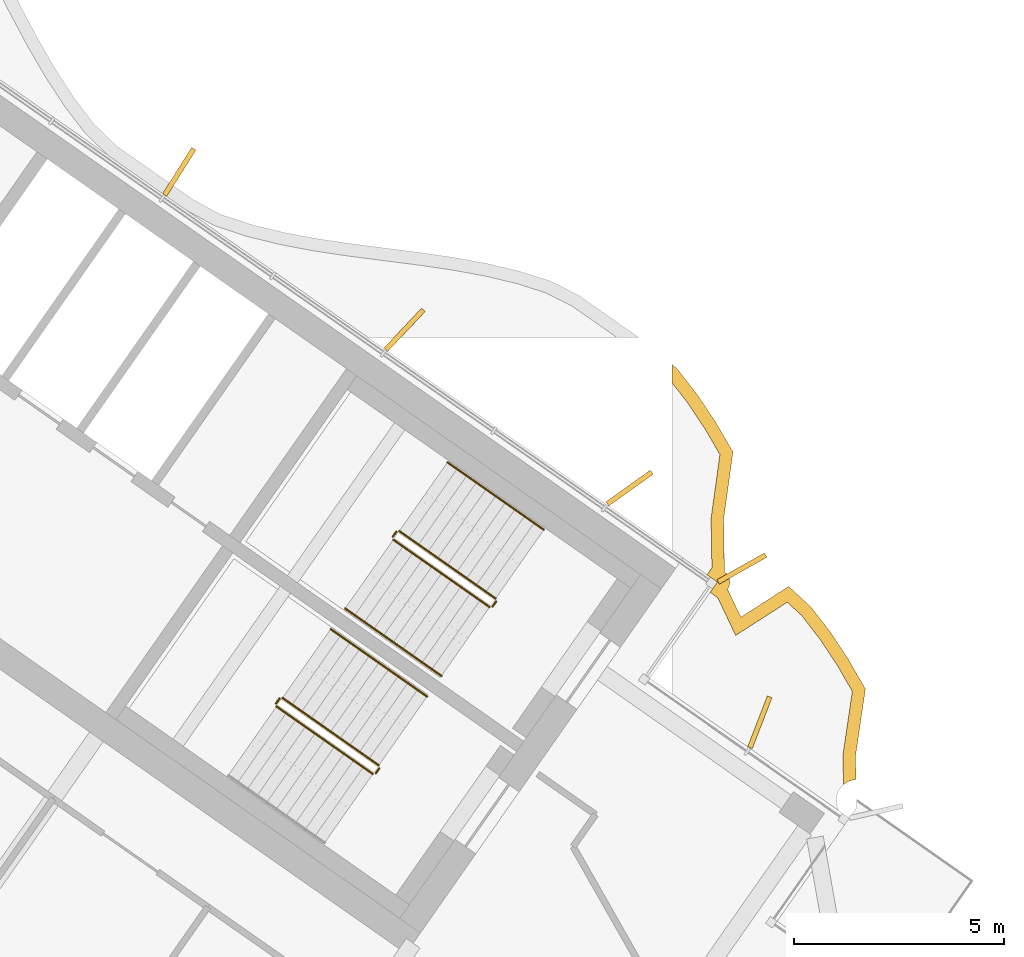
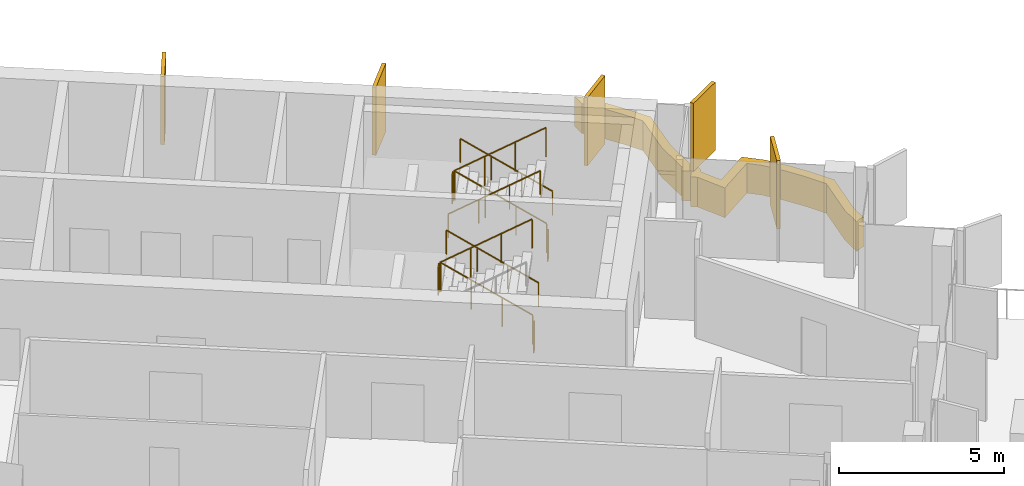
# One storey, part 19 of 21: 11 railings, 6 shading devices.
"""IFC4 building model written with IfcOpenShell, lengths in metres."""

from ifc_helpers import new_model, si_unit, direction, frame, origin, origin_2d, place, context, subcontext, project, spatial, polyline, rectangle, circle, outline, extrude, material, layer, layer_set, type_object, element, save


model = new_model("IFC4")

# Units and contexts
model_context = context("Model", 3, precision=1e-05, world=origin(), true_north=direction((0.0, 1.0)))
body_context = subcontext(model_context, "Body", "Model", "MODEL_VIEW")
ifc_project = project(units=[si_unit("LENGTHUNIT", "METRE"), si_unit("AREAUNIT", "SQUARE_METRE"), si_unit("VOLUMEUNIT", "CUBIC_METRE"), si_unit("PLANEANGLEUNIT", "RADIAN"), si_unit("MASSUNIT", "GRAM", prefix="KILO")], contexts=[model_context])

# Site, building, storey
site_placement = place(None, origin())
site = spatial("IfcSite", under=ifc_project, at=site_placement, CompositionType="ELEMENT")
building_placement = place(site_placement, origin())
building = spatial("IfcBuilding", under=site, at=building_placement, Name="Tel Ilan Convention Tower", CompositionType="ELEMENT")
storey_placement = place(building_placement, frame((0.0, 0.0, 225.39990234375)))
storey = spatial("IfcBuildingStorey", under=building, at=storey_placement, Name="L52", CompositionType="ELEMENT", Elevation=225.39990234375)

# Shading devices
ifc_material_1 = material(Name="Aluminium, bronze anodised", Category="aluminium")
ifc_layer_1 = layer(ifc_material_1, 0.1201171875)
ifc_layer_set_1 = layer_set([ifc_layer_1], Name="FIN BRONZE 1300x120")
shading_device_type_1 = type_object("IfcShadingDeviceType", Name="FIN BRONZE 1300x120", PredefinedType="USERDEFINED", material=ifc_layer_set_1)
for number, where, z_axis, x_axis, name in (
    (1, (29.970458984375, -10.79833984375, 1.10009765625), (0.0, 0.0, 1.0), (0.360177724803, 0.932883704733, 0.0), "FIN"),
    (2, (29.5439453125, -7.13623046875, 1.10009765625), (0.0, 0.0, 1.0), (0.870832754082, 0.491579408049, 0.0), "FIN"),
    (3, (26.8662109375, -5.2216796875, 1.10009765625), (0.0, 0.0, 1.0), (0.813552070258, 0.581492071294, 0.0), "FIN"),
    (4, (21.51171875, -1.449462890625, 1.10009765625), (0.0, 0.0, 1.0), (0.686241637865, 0.727373641577, 0.0), "FIN"),
    (5, (16.143798828125, 2.309814453125, 1.10009765625), (0.0, 0.0, 1.0), (0.533204432798, 0.845986425922, 0.0), "FIN"),
):
    element("IfcShadingDevice", number, at=place(storey_placement, frame(where, z_axis=z_axis, x_axis=x_axis)), inside=storey, type_object=shading_device_type_1, Name=name, ObjectType="FIN", PredefinedType="USERDEFINED", context=body_context, shape_type="SweptSolid", body=[
        extrude(rectangle(XDim=1.300048828125, YDim=0.1201171875, at=origin_2d()), origin(), (0.0, 0.0, 1.0), 2.52001953125),
    ])
ifc_material_2 = material(Name="Aluminium, bronze anodised", Category="aluminium")
ifc_layer_2 = layer(ifc_material_2, 0.300048828125)
ifc_layer_set_2 = layer_set([ifc_layer_2], Name="LOUVRE BAND 300x1100")
shading_device_type_2 = type_object("IfcShadingDeviceType", Name="LOUVRE BAND 300x1100", PredefinedType="USERDEFINED", material=ifc_layer_set_2)
shading_device_placement = place(storey_placement, origin())
element("IfcShadingDevice", 6, at=shading_device_placement, inside=storey, type_object=shading_device_type_2, Name="LOUVRE BAND 41.01", ObjectType="LOUVRE", PredefinedType="USERDEFINED", context=body_context, shape_type="SweptSolid", body=[
    extrude(outline(polyline([(28.0107421875, -2.392822265625), (27.874755859375, -2.269287109375), (27.874755859375, -2.70654296875), (28.240234375, -3.176513671875), (28.66748046875, -3.818359375), (29.02001953125, -4.420654296875), (28.809326171875, -5.941162109375), (28.829345703125, -7.12109375), (28.713134765625, -7.286865234375), (28.958740234375, -7.458984375), (28.787353515625, -7.705322265625), (28.9677734375, -7.83154296875), (29.395751953125, -8.730712890625), (30.62353515625, -7.9404296875), (30.971923828125, -8.26171875), (31.412841796875, -8.83544921875), (31.83154296875, -9.46923828125), (32.173583984375, -10.065185546875), (31.948486328125, -11.589599609375), (31.963623046875, -12.282470703125), (32.0234375, -12.240234375), (32.11083984375, -12.19580078125), (32.205322265625, -12.16943359375), (32.26123046875, -12.162353515625), (32.248779296875, -11.6083984375), (32.485595703125, -10.006103515625), (32.0869140625, -9.3115234375), (31.6572265625, -8.661376953125), (31.194091796875, -8.05859375), (30.656494140625, -7.5625), (29.52001953125, -8.2939453125), (29.199951171875, -7.6279296875), (29.236083984375, -7.57373046875), (29.2587890625, -7.458984375), (29.236083984375, -7.34423828125), (29.1708984375, -7.246826171875), (29.127685546875, -7.218017578125), (29.10986328125, -5.95947265625), (29.331298828125, -4.35888671875), (28.922119140625, -3.659423828125), (28.48388671875, -3.001220703125), (28.0107421875, -2.392822265625)])), origin(), (0.0, 0.0, 1.0), 1.10009765625),
])

# Railings
ifc_material_3 = material(Name="Stainless Steel Grade 316", Category="steel")
railing_type_1 = type_object("IfcRailingType", Name="Stainless Steel Stair Guard 1100 mm", PredefinedType="GUARDRAIL", material=ifc_material_3)
railing_1_placement = place(storey_placement, frame((23.6787109375, -7.8515625, 0.177490234375)))
element("IfcRailing", 7, at=railing_1_placement, inside=storey, type_object=railing_type_1, Name="L52 S3 stair guard 1", PredefinedType="GUARDRAIL", context=body_context, shape_type="SweptSolid", body=[
    extrude(circle(Radius=0.02392578125, at=origin_2d()), frame((0.0, 0.0, 1.076171875), z_axis=(-0.692084706163, 0.484621375041, 0.534940073605), x_axis=(-0.573591086599, -0.819141785879, 0.0)), (0.0, 0.0, 1.0), 3.313720703125),
    extrude(circle(Radius=0.02099609375, at=origin_2d()), origin(), (0.0, 0.0, 1.0), 1.052001953125),
    extrude(circle(Radius=0.02099609375, at=origin_2d()), frame((-0.764404296875, 0.535400390625, 0.5908203125)), (0.0, 0.0, 1.0), 1.052001953125),
    extrude(circle(Radius=0.02099609375, at=origin_2d()), frame((-1.529052734375, 1.070556640625, 1.181884765625)), (0.0, 0.0, 1.0), 1.052001953125),
    extrude(circle(Radius=0.02099609375, at=origin_2d()), frame((-2.29345703125, 1.60595703125, 1.772705078125)), (0.0, 0.0, 1.0), 1.052001953125),
])
railing_2_placement = place(storey_placement, frame((21.3154296875, -6.2578125, 1.9501953125)))
element("IfcRailing", 8, at=railing_2_placement, inside=storey, type_object=railing_type_1, Name="L52 S3 stair guard 2", PredefinedType="GUARDRAIL", context=body_context, shape_type="SweptSolid", body=[
    extrude(circle(Radius=0.02392578125, at=origin_2d()), frame((0.0, 0.0, 1.076171875), z_axis=(-0.573353020881, -0.819308436089, 0.0), x_axis=(0.819308436089, -0.573353020881, 0.0)), (0.0, 0.0, 1.0), 0.14990234375),
    extrude(circle(Radius=0.02099609375, at=origin_2d()), origin(), (0.0, 0.0, 1.0), 1.052001953125),
    extrude(circle(Radius=0.02099609375, at=origin_2d()), frame((-0.0859375, -0.122802734375, 0.0)), (0.0, 0.0, 1.0), 1.052001953125),
])
railing_3_placement = place(storey_placement, frame((21.24169921875, -6.4501953125, 2.12744140625)))
element("IfcRailing", 9, at=railing_3_placement, inside=storey, type_object=railing_type_1, Name="L52 S3 stair guard 3", PredefinedType="GUARDRAIL", context=body_context, shape_type="SweptSolid", body=[
    extrude(circle(Radius=0.02392578125, at=origin_2d()), frame((0.0, 0.0, 1.076171875), z_axis=(0.692098378994, -0.484653031975, 0.534893701956), x_axis=(0.573608623498, 0.819129505664, 0.0)), (0.0, 0.0, 1.0), 3.314208984375),
    extrude(circle(Radius=0.02099609375, at=origin_2d()), origin(), (0.0, 0.0, 1.0), 1.052001953125),
    extrude(circle(Radius=0.02099609375, at=origin_2d()), frame((0.7646484375, -0.535400390625, 0.5908203125)), (0.0, 0.0, 1.0), 1.052001953125),
    extrude(circle(Radius=0.02099609375, at=origin_2d()), frame((1.529052734375, -1.07080078125, 1.181884765625)), (0.0, 0.0, 1.0), 1.052001953125),
    extrude(circle(Radius=0.02099609375, at=origin_2d()), frame((2.293701171875, -1.606201171875, 1.772705078125)), (0.0, 0.0, 1.0), 1.052001953125),
])
railing_4_placement = place(storey_placement, frame((23.691162109375, -7.921142578125, 0.0)))
element("IfcRailing", 10, at=railing_4_placement, inside=storey, type_object=railing_type_1, Name="L52 S3 stair guard 4", PredefinedType="GUARDRAIL", context=body_context, shape_type="SweptSolid", body=[
    extrude(circle(Radius=0.02392578125, at=origin_2d()), frame((0.0, 0.0, 1.076171875), z_axis=(-0.574444878118, -0.818543268254, 0.0), x_axis=(0.818543268254, -0.574444878118, 0.0)), (0.0, 0.0, 1.0), 0.150146484375),
    extrude(circle(Radius=0.02099609375, at=origin_2d()), origin(), (0.0, 0.0, 1.0), 1.052001953125),
    extrude(circle(Radius=0.02099609375, at=origin_2d()), frame((-0.086181640625, -0.122802734375, 0.0)), (0.0, 0.0, 1.0), 1.052001953125),
])
railing_5_placement = place(storey_placement, frame((20.89697265625, -11.824462890625, 0.177490234375)))
element("IfcRailing", 11, at=railing_5_placement, inside=storey, type_object=railing_type_1, Name="L52 S4 stair guard 1", PredefinedType="GUARDRAIL", context=body_context, shape_type="SweptSolid", body=[
    extrude(circle(Radius=0.02392578125, at=origin_2d()), frame((0.0, 0.0, 1.076171875), z_axis=(-0.692123088272, 0.484596665743, 0.534912798717), x_axis=(-0.573550118428, -0.819170471667, 0.0)), (0.0, 0.0, 1.0), 3.31396484375),
    extrude(circle(Radius=0.02099609375, at=origin_2d()), origin(), (0.0, 0.0, 1.0), 1.052001953125),
    extrude(circle(Radius=0.02099609375, at=origin_2d()), frame((-0.7646484375, 0.535400390625, 0.5908203125)), (0.0, 0.0, 1.0), 1.052001953125),
    extrude(circle(Radius=0.02099609375, at=origin_2d()), frame((-1.529052734375, 1.070556640625, 1.181884765625)), (0.0, 0.0, 1.0), 1.052001953125),
    extrude(circle(Radius=0.02099609375, at=origin_2d()), frame((-2.293701171875, 1.60595703125, 1.772705078125)), (0.0, 0.0, 1.0), 1.052001953125),
])
railing_6_placement = place(storey_placement, frame((18.53369140625, -10.230712890625, 1.9501953125)))
element("IfcRailing", 12, at=railing_6_placement, inside=storey, type_object=railing_type_1, Name="L52 S4 stair guard 2", PredefinedType="GUARDRAIL", context=body_context, shape_type="SweptSolid", body=[
    extrude(circle(Radius=0.02392578125, at=origin_2d()), frame((0.0, 0.0, 1.076171875), z_axis=(-0.573353020881, -0.819308436089, 0.0), x_axis=(0.819308436089, -0.573353020881, 0.0)), (0.0, 0.0, 1.0), 0.14990234375),
    extrude(circle(Radius=0.02099609375, at=origin_2d()), origin(), (0.0, 0.0, 1.0), 1.052001953125),
    extrude(circle(Radius=0.02099609375, at=origin_2d()), frame((-0.0859375, -0.122802734375, 0.0)), (0.0, 0.0, 1.0), 1.052001953125),
])
railing_7_placement = place(storey_placement, frame((18.4599609375, -10.423095703125, 2.12744140625)))
element("IfcRailing", 13, at=railing_7_placement, inside=storey, type_object=railing_type_1, Name="L52 S4 stair guard 3", PredefinedType="GUARDRAIL", context=body_context, shape_type="SweptSolid", body=[
    extrude(circle(Radius=0.02392578125, at=origin_2d()), frame((0.0, 0.0, 1.076171875), z_axis=(0.692098378994, -0.484653031975, 0.534893701956), x_axis=(0.573608623498, 0.819129505664, 0.0)), (0.0, 0.0, 1.0), 3.314208984375),
    extrude(circle(Radius=0.02099609375, at=origin_2d()), origin(), (0.0, 0.0, 1.0), 1.052001953125),
    extrude(circle(Radius=0.02099609375, at=origin_2d()), frame((0.7646484375, -0.535400390625, 0.5908203125)), (0.0, 0.0, 1.0), 1.052001953125),
    extrude(circle(Radius=0.02099609375, at=origin_2d()), frame((1.529052734375, -1.07080078125, 1.181884765625)), (0.0, 0.0, 1.0), 1.052001953125),
    extrude(circle(Radius=0.02099609375, at=origin_2d()), frame((2.293701171875, -1.606201171875, 1.772705078125)), (0.0, 0.0, 1.0), 1.052001953125),
])
railing_8_placement = place(storey_placement, frame((20.9091796875, -11.89404296875, 0.0)))
element("IfcRailing", 14, at=railing_8_placement, inside=storey, type_object=railing_type_1, Name="L52 S4 stair guard 4", PredefinedType="GUARDRAIL", context=body_context, shape_type="SweptSolid", body=[
    extrude(circle(Radius=0.02392578125, at=origin_2d()), frame((0.0, 0.0, 1.076171875), z_axis=(-0.573353020881, -0.819308436089, 0.0), x_axis=(0.819308436089, -0.573353020881, 0.0)), (0.0, 0.0, 1.0), 0.14990234375),
    extrude(circle(Radius=0.02099609375, at=origin_2d()), origin(), (0.0, 0.0, 1.0), 1.052001953125),
    extrude(circle(Radius=0.02099609375, at=origin_2d()), frame((-0.0859375, -0.122802734375, 0.0)), (0.0, 0.0, 1.0), 1.052001953125),
])
ifc_material_4 = material(Name="Stainless Steel Grade 316", Category="steel")
railing_type_2 = type_object("IfcRailingType", Name="Stainless Steel Stair Handrail 900 mm", PredefinedType="HANDRAIL", material=ifc_material_4)
railing_9_placement = place(storey_placement, frame((24.825927734375, -6.213134765625, 0.177490234375)))
element("IfcRailing", 15, at=railing_9_placement, inside=storey, type_object=railing_type_2, Name="L52 S3 stair handrail 1", PredefinedType="HANDRAIL", context=body_context, shape_type="SweptSolid", body=[
    extrude(circle(Radius=0.02392578125, at=origin_2d()), frame((0.0, 0.0, 0.8759765625), z_axis=(-0.692123088272, 0.484596665743, 0.534912798717), x_axis=(-0.573550118428, -0.819170471667, 0.0)), (0.0, 0.0, 1.0), 3.31396484375),
    extrude(circle(Radius=0.02099609375, at=origin_2d()), origin(), (0.0, 0.0, 1.0), 0.851806640625),
    extrude(circle(Radius=0.02099609375, at=origin_2d()), frame((-0.7646484375, 0.535400390625, 0.5908203125)), (0.0, 0.0, 1.0), 0.851806640625),
    extrude(circle(Radius=0.02099609375, at=origin_2d()), frame((-1.529052734375, 1.070556640625, 1.181884765625)), (0.0, 0.0, 1.0), 0.851806640625),
    extrude(circle(Radius=0.02099609375, at=origin_2d()), frame((-2.293701171875, 1.60595703125, 1.772705078125)), (0.0, 0.0, 1.0), 0.851806640625),
])
railing_10_placement = place(storey_placement, frame((20.0947265625, -8.088623046875, 2.12744140625)))
element("IfcRailing", 16, at=railing_10_placement, inside=storey, type_object=railing_type_2, Name="L52 S3 stair handrail 2", PredefinedType="HANDRAIL", context=body_context, shape_type="SweptSolid", body=[
    extrude(circle(Radius=0.02392578125, at=origin_2d()), frame((0.0, 0.0, 0.8759765625), z_axis=(0.692084706163, -0.484621375041, 0.534940073605), x_axis=(0.573591086599, 0.819141785879, 0.0)), (0.0, 0.0, 1.0), 3.313720703125),
    extrude(circle(Radius=0.02099609375, at=origin_2d()), origin(), (0.0, 0.0, 1.0), 0.851806640625),
    extrude(circle(Radius=0.02099609375, at=origin_2d()), frame((0.764404296875, -0.535400390625, 0.5908203125)), (0.0, 0.0, 1.0), 0.851806640625),
    extrude(circle(Radius=0.02099609375, at=origin_2d()), frame((1.529052734375, -1.070556640625, 1.181884765625)), (0.0, 0.0, 1.0), 0.851806640625),
    extrude(circle(Radius=0.02099609375, at=origin_2d()), frame((2.29345703125, -1.60595703125, 1.772705078125)), (0.0, 0.0, 1.0), 0.851806640625),
])
railing_11_placement = place(storey_placement, frame((22.044189453125, -10.18603515625, 0.177490234375)))
element("IfcRailing", 17, at=railing_11_placement, inside=storey, type_object=railing_type_2, Name="L52 S4 stair handrail 1", PredefinedType="HANDRAIL", context=body_context, shape_type="SweptSolid", body=[
    extrude(circle(Radius=0.02392578125, at=origin_2d()), frame((0.0, 0.0, 0.8759765625), z_axis=(-0.692123088272, 0.484596665743, 0.534912798717), x_axis=(-0.573550118428, -0.819170471667, 0.0)), (0.0, 0.0, 1.0), 3.31396484375),
    extrude(circle(Radius=0.02099609375, at=origin_2d()), origin(), (0.0, 0.0, 1.0), 0.851806640625),
    extrude(circle(Radius=0.02099609375, at=origin_2d()), frame((-0.7646484375, 0.535400390625, 0.5908203125)), (0.0, 0.0, 1.0), 0.851806640625),
    extrude(circle(Radius=0.02099609375, at=origin_2d()), frame((-1.529052734375, 1.070556640625, 1.181884765625)), (0.0, 0.0, 1.0), 0.851806640625),
    extrude(circle(Radius=0.02099609375, at=origin_2d()), frame((-2.293701171875, 1.60595703125, 1.772705078125)), (0.0, 0.0, 1.0), 0.851806640625),
])

save(model, "model.ifc")
